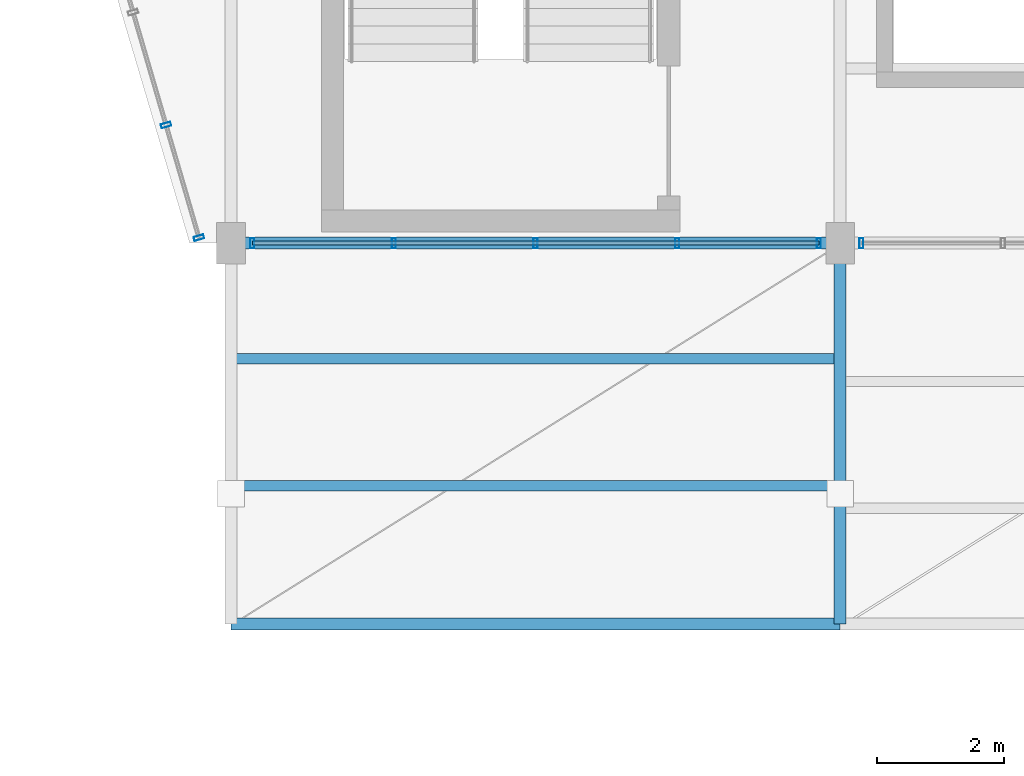
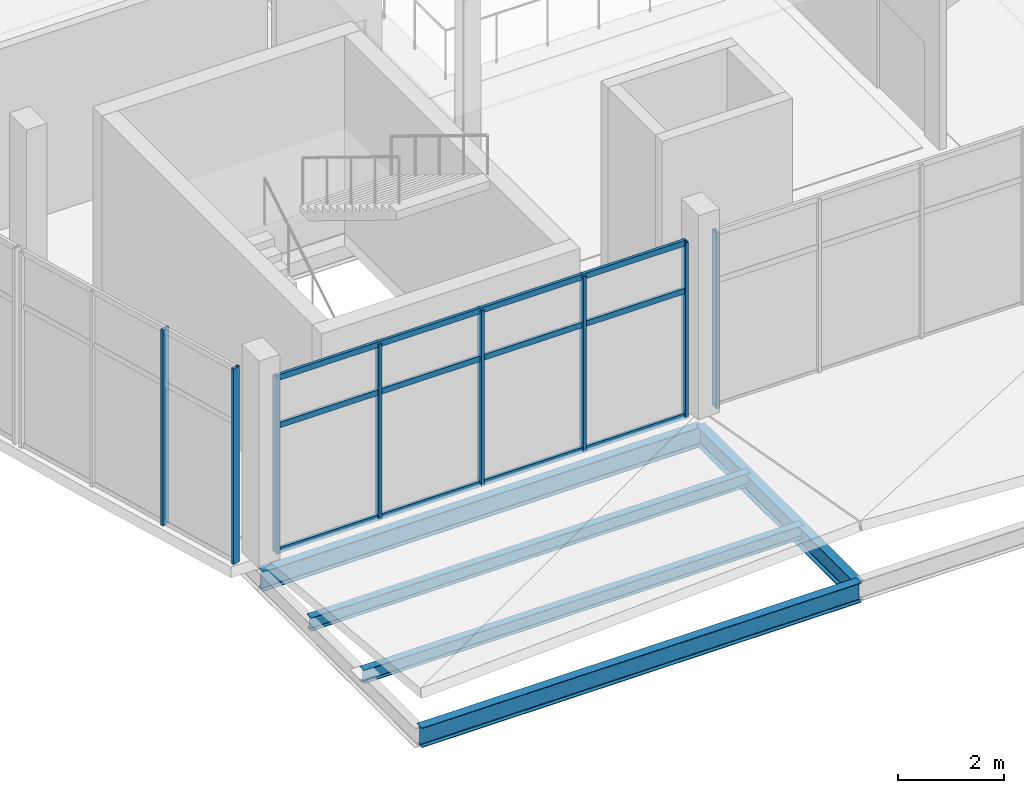
# One storey, part 14 of 157: 11 members, 5 beams, 3 elements without a shape of their own.
"""IFC4 building model written with IfcOpenShell, lengths in metres."""

from ifc_helpers import new_model, si_unit, direction, frame, origin, origin_2d, place, context, subcontext, project, spatial, hollow_rectangle, i_section, extrude, material, layer, layer_set, material_profile, profile_set, type_object, element, aggregate, save


model = new_model("IFC4")

# Units and contexts
model_context = context("Model", 3, precision=1e-05, world=origin(), true_north=direction((0.0, 1.0)))
body_context = subcontext(model_context, "Body", "Model", "MODEL_VIEW")
ifc_project = project(units=[si_unit("LENGTHUNIT", "METRE"), si_unit("AREAUNIT", "SQUARE_METRE"), si_unit("VOLUMEUNIT", "CUBIC_METRE"), si_unit("PLANEANGLEUNIT", "RADIAN"), si_unit("MASSUNIT", "GRAM", prefix="KILO")], contexts=[model_context])

# Site, building, storey
site_placement = place(None, origin())
site = spatial("IfcSite", under=ifc_project, at=site_placement, CompositionType="ELEMENT")
building_placement = place(site_placement, origin())
building = spatial("IfcBuilding", under=site, at=building_placement, Name="Chalmorin Arch Market", CompositionType="ELEMENT")
storey_placement = place(building_placement, frame((0.0, 0.0, 4.800048828125)))
storey = spatial("IfcBuildingStorey", under=building, at=storey_placement, Name="L01", CompositionType="ELEMENT", Elevation=4.800048828125)

# Curtain wall, members
ifc_material_1 = material(Name="Aluminium 6063-T6", Category="aluminium")
ifc_layer_1 = layer(ifc_material_1, 0.159912109375)
ifc_layer_set_1 = layer_set([ifc_layer_1], Name="Aluminium 6063-T6")
curtain_wall_type_1 = type_object("IfcCurtainWallType", Name="RiverfrontStorefrontCurtainWall-CW2-5550x4520", PredefinedType="NOTDEFINED", material=ifc_layer_set_1)
curtain_wall_1_placement = place(storey_placement, origin())
curtain_wall_1 = element("IfcCurtainWall", 1, at=curtain_wall_1_placement, inside=storey, type_object=curtain_wall_type_1, Name="CW-02-046", PredefinedType="NOTDEFINED")
ifc_material_profile_1 = material_profile(ifc_material_1, hollow_rectangle(XDim=0.06494140625, YDim=0.159912109375, WallThickness=0.00390625, at=origin_2d()), Name="ALU65X160X4")
ifc_profile_set_1 = profile_set([ifc_material_profile_1], Name="Aluminium 6063-T6")
member_type_1 = type_object("IfcMemberType", Name="CurtainWallMullion-65x160", PredefinedType="MULLION", material=ifc_profile_set_1)
member_1_placement = place(storey_placement, frame((-0.505126953125, 6.08642578125, 0.0), z_axis=(0.0, 0.0, 1.0), x_axis=(-0.275637355817, 0.961261695938, 0.0)))
member_1 = element("IfcMember", 2, at=member_1_placement, type_object=member_type_1, Name="ML-046-01", PredefinedType="MULLION", context=body_context, shape_type="SweptSolid", body=[
    extrude(hollow_rectangle(XDim=0.06494140625, YDim=0.159912109375, WallThickness=0.00390625, at=origin_2d()), origin(), (0.0, 0.0, 1.0), 4.52001953125),
])
member_2_placement = place(storey_placement, frame((-1.024169921875, 7.862060546875, 0.0), z_axis=(0.0, 0.0, 1.0), x_axis=(-0.275637355817, 0.961261695938, 0.0)))
member_2 = element("IfcMember", 3, at=member_2_placement, type_object=member_type_1, Name="ML-046-02", PredefinedType="MULLION", context=body_context, shape_type="SweptSolid", body=[
    extrude(hollow_rectangle(XDim=0.06494140625, YDim=0.159912109375, WallThickness=0.00390625, at=origin_2d()), origin(), (0.0, 0.0, 1.0), 4.52001953125),
])
aggregate(curtain_wall_1, [member_1, member_2])

ifc_layer_2 = layer(ifc_material_1, 0.159912109375)
ifc_layer_set_2 = layer_set([ifc_layer_2], Name="Aluminium 6063-T6")
curtain_wall_type_2 = type_object("IfcCurtainWallType", Name="RiverfrontStorefrontCurtainWall-CW2-8930x4070", PredefinedType="NOTDEFINED", material=ifc_layer_set_2)
curtain_wall_2_placement = place(storey_placement, origin())
curtain_wall_2 = element("IfcCurtainWall", 4, at=curtain_wall_2_placement, inside=storey, type_object=curtain_wall_type_2, Name="CW-02-093", PredefinedType="NOTDEFINED")
member_3_placement = place(storey_placement, frame((0.3349609375, 6.0, 0.0), z_axis=(0.0, 0.0, 1.0), x_axis=(1.0, 0.0, 0.0)))
member_3 = element("IfcMember", 5, at=member_3_placement, type_object=member_type_1, Name="ML-093-01", PredefinedType="MULLION", context=body_context, shape_type="SweptSolid", body=[
    extrude(hollow_rectangle(XDim=0.06494140625, YDim=0.159912109375, WallThickness=0.00390625, at=origin_2d()), origin(), (0.0, 0.0, 1.0), 4.06591796875),
])
member_4_placement = place(storey_placement, frame((2.5673828125, 6.0, 0.0), z_axis=(0.0, 0.0, 1.0), x_axis=(1.0, 0.0, 0.0)))
member_4 = element("IfcMember", 6, at=member_4_placement, type_object=member_type_1, Name="ML-093-02", PredefinedType="MULLION", context=body_context, shape_type="SweptSolid", body=[
    extrude(hollow_rectangle(XDim=0.06494140625, YDim=0.159912109375, WallThickness=0.00390625, at=origin_2d()), origin(), (0.0, 0.0, 1.0), 4.06591796875),
])
member_5_placement = place(storey_placement, frame((4.800048828125, 6.0, 0.0), z_axis=(0.0, 0.0, 1.0), x_axis=(1.0, 0.0, 0.0)))
member_5 = element("IfcMember", 7, at=member_5_placement, type_object=member_type_1, Name="ML-093-03", PredefinedType="MULLION", context=body_context, shape_type="SweptSolid", body=[
    extrude(hollow_rectangle(XDim=0.06494140625, YDim=0.159912109375, WallThickness=0.00390625, at=origin_2d()), origin(), (0.0, 0.0, 1.0), 4.06591796875),
])
member_6_placement = place(storey_placement, frame((7.032470703125, 6.0, 0.0), z_axis=(0.0, 0.0, 1.0), x_axis=(1.0, 0.0, 0.0)))
member_6 = element("IfcMember", 8, at=member_6_placement, type_object=member_type_1, Name="ML-093-04", PredefinedType="MULLION", context=body_context, shape_type="SweptSolid", body=[
    extrude(hollow_rectangle(XDim=0.06494140625, YDim=0.159912109375, WallThickness=0.00390625, at=origin_2d()), origin(), (0.0, 0.0, 1.0), 4.06591796875),
])
member_7_placement = place(storey_placement, frame((9.264892578125, 6.0, 0.0), z_axis=(0.0, 0.0, 1.0), x_axis=(1.0, 0.0, 0.0)))
member_7 = element("IfcMember", 9, at=member_7_placement, type_object=member_type_1, Name="ML-093-05", PredefinedType="MULLION", context=body_context, shape_type="SweptSolid", body=[
    extrude(hollow_rectangle(XDim=0.06494140625, YDim=0.159912109375, WallThickness=0.00390625, at=origin_2d()), origin(), (0.0, 0.0, 1.0), 4.06591796875),
])

# Curtain wall, member
curtain_wall_3_placement = place(storey_placement, origin())
curtain_wall_3 = element("IfcCurtainWall", 10, at=curtain_wall_3_placement, inside=storey, type_object=curtain_wall_type_2, Name="CW-02-095", PredefinedType="NOTDEFINED")
member_8_placement = place(storey_placement, frame((9.93505859375, 6.0, 0.0), z_axis=(0.0, 0.0, 1.0), x_axis=(1.0, 0.0, 0.0)))
member_8 = element("IfcMember", 11, at=member_8_placement, type_object=member_type_1, Name="ML-095-01", PredefinedType="MULLION", context=body_context, shape_type="SweptSolid", body=[
    extrude(hollow_rectangle(XDim=0.06494140625, YDim=0.159912109375, WallThickness=0.00390625, at=origin_2d()), origin(), (0.0, 0.0, 1.0), 4.06591796875),
])
aggregate(curtain_wall_3, [member_8])

# Member
ifc_material_profile_2 = material_profile(ifc_material_1, hollow_rectangle(XDim=0.06494140625, YDim=0.1298828125, WallThickness=0.00390625, at=origin_2d()), Name="ALU65X130X4")
ifc_profile_set_2 = profile_set([ifc_material_profile_2], Name="Aluminium 6063-T6")
member_type_2 = type_object("IfcMemberType", Name="CurtainWallTransom-65x130", PredefinedType="USERDEFINED", material=ifc_profile_set_2)
member_9_placement = place(storey_placement, frame((0.3349609375, 6.0, 0.034912109375), z_axis=(1.0, 0.0, 0.0), x_axis=(0.0, 1.0, 0.0)))
member_9 = element("IfcMember", 12, at=member_9_placement, type_object=member_type_2, Name="TR-093-01", ObjectType="TRANSOM", PredefinedType="USERDEFINED", context=body_context, shape_type="SweptSolid", body=[
    extrude(hollow_rectangle(XDim=0.06494140625, YDim=0.1298828125, WallThickness=0.00390625, at=origin_2d()), origin(), (0.0, 0.0, 1.0), 8.929931640625),
])

member_10_placement = place(storey_placement, frame((0.3349609375, 6.0, 2.927490234375), z_axis=(1.0, 0.0, 0.0), x_axis=(0.0, 1.0, 0.0)))
member_10 = element("IfcMember", 13, at=member_10_placement, type_object=member_type_2, Name="TR-093-02", ObjectType="TRANSOM", PredefinedType="USERDEFINED", context=body_context, shape_type="SweptSolid", body=[
    extrude(hollow_rectangle(XDim=0.06494140625, YDim=0.1298828125, WallThickness=0.00390625, at=origin_2d()), origin(), (0.0, 0.0, 1.0), 8.929931640625),
])

member_11_placement = place(storey_placement, frame((0.3349609375, 6.0, 4.031005859375), z_axis=(1.0, 0.0, 0.0), x_axis=(0.0, 1.0, 0.0)))
member_11 = element("IfcMember", 14, at=member_11_placement, type_object=member_type_2, Name="TR-093-03", ObjectType="TRANSOM", PredefinedType="USERDEFINED", context=body_context, shape_type="SweptSolid", body=[
    extrude(hollow_rectangle(XDim=0.06494140625, YDim=0.1298828125, WallThickness=0.00390625, at=origin_2d()), origin(), (0.0, 0.0, 1.0), 8.929931640625),
])

aggregate(curtain_wall_2, [member_3, member_4, member_5, member_6, member_7, member_9, member_10, member_11])

# Beams
ifc_material_2 = material(Name="Steel A992 Grade 50", Category="steel")
ifc_material_profile_3 = material_profile(ifc_material_2, i_section(OverallWidth=0.19091796875, OverallDepth=0.45703125, WebThickness=0.009033203125, FlangeThickness=0.014404296875, FilletRadius=0.02001953125, at=origin_2d()), Name="W18X50")
ifc_profile_set_3 = profile_set([ifc_material_profile_3], Name="Steel A992 Grade 50")
beam_type_1 = type_object("IfcBeamType", Name="FloorSteelBeam-W18X50", PredefinedType="BEAM", material=ifc_profile_set_3)
beam_placement = place(storey_placement, frame((9.60009765625, 0.0, -0.510498046875), z_axis=(0.0, 1.0, 0.0), x_axis=(-1.0, 0.0, 0.0)))
element("IfcBeam", 15, at=beam_placement, inside=storey, type_object=beam_type_1, Name="BM-W18B-1026", PredefinedType="BEAM", context=body_context, shape_type="SweptSolid", body=[
    extrude(i_section(OverallWidth=0.19091796875, OverallDepth=0.45703125, WebThickness=0.009033203125, FlangeThickness=0.014404296875, FilletRadius=0.02001953125, at=origin_2d()), origin(), (0.0, 0.0, 1.0), 6.0),
])
ifc_material_profile_4 = material_profile(ifc_material_2, i_section(OverallWidth=0.19091796875, OverallDepth=0.45703125, WebThickness=0.009033203125, FlangeThickness=0.014404296875, FilletRadius=0.02001953125, at=origin_2d()), Name="W18X50")
ifc_profile_set_4 = profile_set([ifc_material_profile_4], Name="Steel A992 Grade 50")
beam_type_2 = type_object("IfcBeamType", Name="PerimeterSpandrelBeam-W18X50", PredefinedType="SPANDREL", material=ifc_profile_set_4)
for number, where, z_axis, x_axis, name in (
    (16, (0.0, 6.0, -0.510498046875), (1.0, 0.0, 0.0), (0.0, 1.0, 0.0), "SP-W18-0798"),
    (17, (0.0, 0.0, -0.48046875), (1.0, 0.0, 0.0), (0.0, 1.0, 0.0), "SP-W18-1024"),
):
    element("IfcBeam", number, at=place(storey_placement, frame(where, z_axis=z_axis, x_axis=x_axis)), inside=storey, type_object=beam_type_2, Name=name, PredefinedType="SPANDREL", context=body_context, shape_type="SweptSolid", body=[
        extrude(i_section(OverallWidth=0.19091796875, OverallDepth=0.45703125, WebThickness=0.009033203125, FlangeThickness=0.014404296875, FilletRadius=0.02001953125, at=origin_2d()), origin(), (0.0, 0.0, 1.0), 9.60009765625),
    ])
ifc_material_profile_5 = material_profile(ifc_material_2, i_section(OverallWidth=0.1650390625, OverallDepth=0.31005859375, WebThickness=0.005859375, FlangeThickness=0.009765625, FilletRadius=0.014892578125, at=origin_2d()), Name="W12X26")
ifc_profile_set_5 = profile_set([ifc_material_profile_5], Name="Steel A992 Grade 50")
beam_type_3 = type_object("IfcBeamType", Name="SecondaryRoofJoist-W12X26", PredefinedType="JOIST", material=ifc_profile_set_5)
for number, where, z_axis, x_axis, name in (
    (18, (0.0, 2.179931640625, -0.406982421875), (1.0, 0.0, 0.0), (0.0, 1.0, 0.0), "BJ-W12-1052"),
    (19, (0.0, 4.179931640625, -0.406982421875), (1.0, 0.0, 0.0), (0.0, 1.0, 0.0), "BJ-W12-1053"),
):
    element("IfcBeam", number, at=place(storey_placement, frame(where, z_axis=z_axis, x_axis=x_axis)), inside=storey, type_object=beam_type_3, Name=name, PredefinedType="JOIST", context=body_context, shape_type="SweptSolid", body=[
        extrude(i_section(OverallWidth=0.1650390625, OverallDepth=0.31005859375, WebThickness=0.005859375, FlangeThickness=0.009765625, FilletRadius=0.014892578125, at=origin_2d()), origin(), (0.0, 0.0, 1.0), 9.60009765625),
    ])

save(model, "model.ifc")
